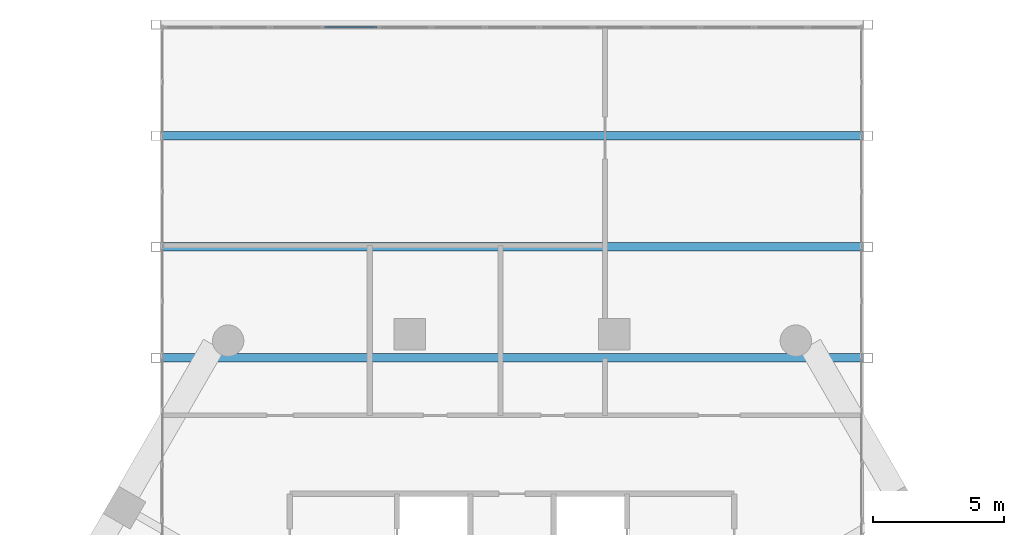
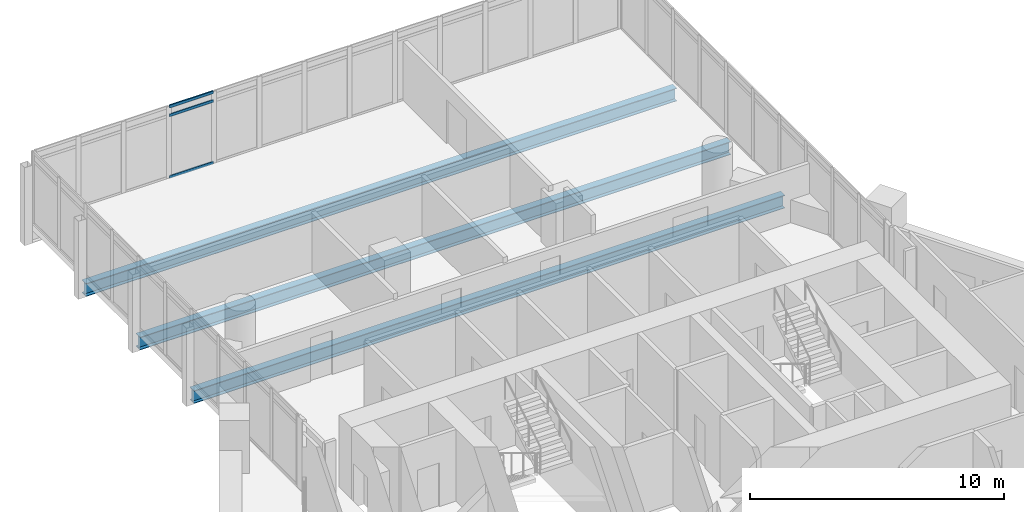
# One storey, part 14 of 28: 3 beams, 3 members, 1 element without a shape of its own.
"""IFC4 building model written with IfcOpenShell, lengths in metres."""

from ifc_helpers import new_model, si_unit, direction, frame, origin, origin_2d, place, context, subcontext, project, spatial, hollow_rectangle, i_section, extrude, material, material_profile, profile_set, type_object, element, aggregate, save


model = new_model("IFC4")

# Units and contexts
model_context = context("Model", 3, precision=1e-05, world=origin(), true_north=direction((0.0, 1.0)))
body_context = subcontext(model_context, "Body", "Model", "MODEL_VIEW")
ifc_project = project(units=[si_unit("LENGTHUNIT", "METRE"), si_unit("AREAUNIT", "SQUARE_METRE"), si_unit("VOLUMEUNIT", "CUBIC_METRE"), si_unit("PLANEANGLEUNIT", "RADIAN"), si_unit("MASSUNIT", "GRAM", prefix="KILO")], contexts=[model_context])

# Site, building, storey
site_placement = place(None, origin())
site = spatial("IfcSite", under=ifc_project, at=site_placement, CompositionType="ELEMENT")
building_placement = place(site_placement, origin())
building = spatial("IfcBuilding", under=site, at=building_placement, Name="Ostrander Bayou Hotel Tower", CompositionType="ELEMENT")
storey_placement = place(building_placement, frame((0.0, 0.0, 100.5)))
storey = spatial("IfcBuildingStorey", under=building, at=storey_placement, Name="L25", CompositionType="ELEMENT", Elevation=100.5)

# Curtain wall, members
ifc_material_1 = material(Name="Aluminium and clear glass", Category="aluminium")
curtain_wall_type = type_object("IfcCurtainWallType", Name="CW-BAR glazed wall", PredefinedType="NOTDEFINED", material=ifc_material_1)
curtain_wall_placement = place(storey_placement, origin())
curtain_wall = element("IfcCurtainWall", 1, at=curtain_wall_placement, inside=storey, type_object=curtain_wall_type, Name="CW-BAR L25:SB2N:T", PredefinedType="NOTDEFINED")
ifc_material_2 = material(Name="Aluminium", Category="aluminium")
ifc_material_profile_1 = material_profile(ifc_material_2, hollow_rectangle(XDim=0.06005859375, YDim=0.1298828125, WallThickness=0.00390625, at=origin_2d()))
ifc_profile_set_1 = profile_set([ifc_material_profile_1], Name="Aluminium")
member_type = type_object("IfcMemberType", Name="CW-BR transom 60 x 130 mm", PredefinedType="USERDEFINED", material=ifc_profile_set_1)
member_1_placement = place(storey_placement, frame((-7.167724609375, 31.4453125, 0.030029296875), z_axis=(1.0, 0.0, 0.0), x_axis=(0.0, 1.0, 0.0)))
member_1 = element("IfcMember", 2, at=member_1_placement, type_object=member_type, Name="CW-BAR transom 4.1", ObjectType="TRANSOM", PredefinedType="USERDEFINED", context=body_context, shape_type="SweptSolid", body=[
    extrude(hollow_rectangle(XDim=0.06005859375, YDim=0.1298828125, WallThickness=0.00390625, at=origin_2d()), origin(), (0.0, 0.0, 1.0), 1.99658203125),
])
member_2_placement = place(storey_placement, frame((-7.167724609375, 31.4453125, 3.0), z_axis=(1.0, 0.0, 0.0), x_axis=(0.0, 1.0, 0.0)))
member_2 = element("IfcMember", 3, at=member_2_placement, type_object=member_type, Name="CW-BAR transom 4.2", ObjectType="TRANSOM", PredefinedType="USERDEFINED", context=body_context, shape_type="SweptSolid", body=[
    extrude(hollow_rectangle(XDim=0.06005859375, YDim=0.1298828125, WallThickness=0.00390625, at=origin_2d()), origin(), (0.0, 0.0, 1.0), 1.99658203125),
])
member_3_placement = place(storey_placement, frame((-7.167724609375, 31.4453125, 3.419921875), z_axis=(1.0, 0.0, 0.0), x_axis=(0.0, 1.0, 0.0)))
member_3 = element("IfcMember", 4, at=member_3_placement, type_object=member_type, Name="CW-BAR transom 4.3", ObjectType="TRANSOM", PredefinedType="USERDEFINED", context=body_context, shape_type="SweptSolid", body=[
    extrude(hollow_rectangle(XDim=0.06005859375, YDim=0.1298828125, WallThickness=0.00390625, at=origin_2d()), origin(), (0.0, 0.0, 1.0), 1.99658203125),
])
aggregate(curtain_wall, [member_1, member_2, member_3])

# Beams
ifc_material_3 = material(Name="Steel ASTM A992", Category="steel")
ifc_material_profile_2 = material_profile(ifc_material_3, i_section(OverallWidth=0.32763671875, OverallDepth=0.621826171875, WebThickness=0.015380859375, FlangeThickness=0.0244140625, at=origin_2d()))
ifc_profile_set_2 = profile_set([ifc_material_profile_2], Name="Steel ASTM A992")
beam_type = type_object("IfcBeamType", Name="TF1 bar floor beam W24x131", PredefinedType="BEAM", material=ifc_profile_set_2)
for number, where, z_axis, x_axis, name in (
    (5, (-13.442138671875, 27.295654296875, -0.61083984375), (1.0, 0.0, 0.0), (0.0, 1.0, 0.0), "TF1 SB2W L3-2"),
    (6, (-13.442138671875, 23.0458984375, -0.61083984375), (1.0, 0.0, 0.0), (0.0, 1.0, 0.0), "TF1 SB2W L3-3"),
    (7, (-13.442138671875, 18.79638671875, -0.61083984375), (1.0, 0.0, 0.0), (0.0, 1.0, 0.0), "TF1 SB2W L3-4"),
):
    element("IfcBeam", number, at=place(storey_placement, frame(where, z_axis=z_axis, x_axis=x_axis)), inside=storey, type_object=beam_type, Name=name, PredefinedType="BEAM", context=body_context, shape_type="SweptSolid", body=[
        extrude(i_section(OverallWidth=0.32763671875, OverallDepth=0.621826171875, WebThickness=0.015380859375, FlangeThickness=0.0244140625, at=origin_2d()), origin(), (0.0, 0.0, 1.0), 26.88427734375),
    ])

save(model, "model.ifc")
